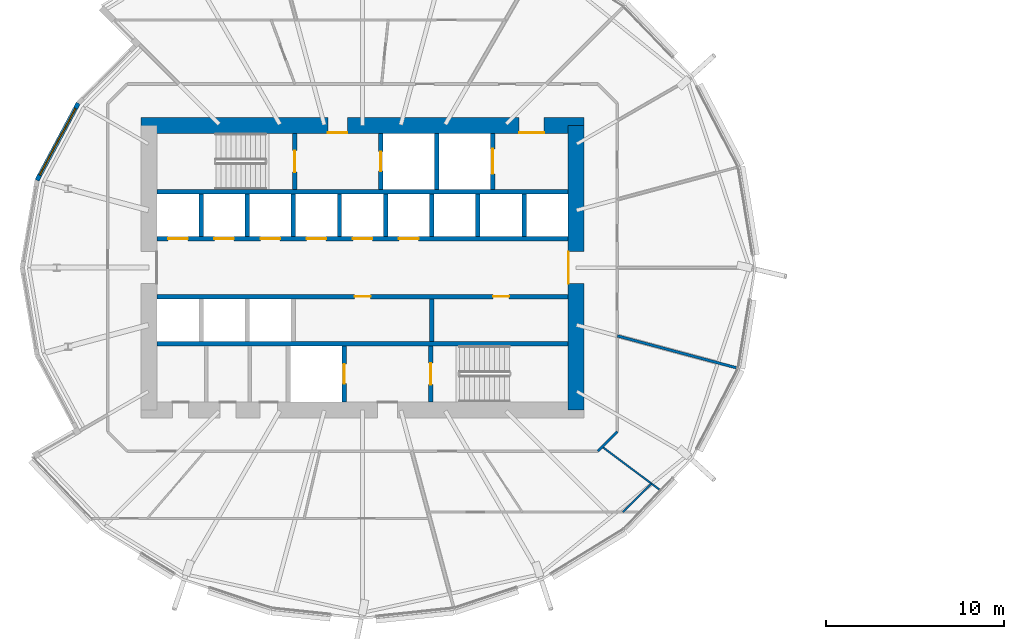
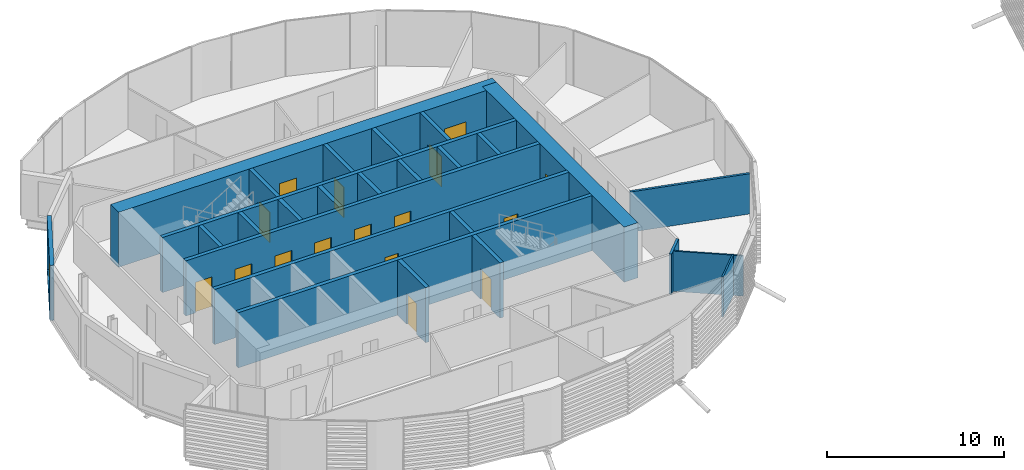
# One storey, part 20 of 36: 26 walls, 16 doors, 1 window, 17 openings.
"""IFC4 building model written with IfcOpenShell, lengths in metres."""

import ifcopenshell
import ifcopenshell.guid

model = None  # the IFC model being written
_history = None  # IfcOwnerHistory: only IFC2X3 demands one
_inside = {}  # id of a spatial element -> (the spatial element, [elements in it])
_under = {}  # id of a project, library or spatial element -> (it, [spatial elements below it])
_declared = {}  # id of a project -> (the project, [libraries it declares])
_typed = {}  # id of a type object -> (the type object, [elements of that type])
_made_of = {}  # id of a material, layer set ... -> (it, [elements and type objects made of it])


def new_model(schema):
    """Start an empty IFC model of exactly this schema.

    Asked for "IFC4X3", IfcOpenShell would pick the latest addendum, in which some entities
    have other attributes; the version numbers below select the first issue.
    IFC2X3 requires an IfcOwnerHistory on every rooted entity: one is made here for all.
    """
    global model, _history
    if schema == "IFC4X3":
        model = ifcopenshell.file(schema_version=(4, 3, 0, 0))
    else:
        model = ifcopenshell.file(schema=schema)
    _inside.clear()
    _under.clear()
    _declared.clear()
    _typed.clear()
    _made_of.clear()
    _history = None
    if model.schema == "IFC2X3":
        org = make("IfcOrganization", Name="unknown")
        user = make(
            "IfcPersonAndOrganization",
            ThePerson=make("IfcPerson", FamilyName="unknown"),
            TheOrganization=org,
        )
        app = make(
            "IfcApplication",
            ApplicationDeveloper=org,
            Version="unknown",
            ApplicationFullName="unknown",
            ApplicationIdentifier="unknown",
        )
        _history = make(
            "IfcOwnerHistory",
            OwningUser=user,
            OwningApplication=app,
            ChangeAction="ADDED",
            CreationDate=0,
        )
    return model


def make(cls, **values):
    """One entity of the class cls with the attributes given. An attribute that is None is left unset."""
    return model.create_entity(
        cls, **{name: value for name, value in values.items() if value is not None}
    )


def rooted(cls, **values):
    """An entity with a GlobalId (a new one), such as an element, a storey or a relation."""
    return make(cls, GlobalId=ifcopenshell.guid.new(), OwnerHistory=_history, **values)


def si_unit(unit_type, name, prefix=None):
    """IfcSIUnit, for example si_unit("LENGTHUNIT", "METRE", prefix="MILLI")."""
    return make("IfcSIUnit", UnitType=unit_type, Prefix=prefix, Name=name)


def assignment(units):
    """IfcUnitAssignment: the units of a project."""
    return None if units is None else make("IfcUnitAssignment", Units=units)


def point(xyz):
    """IfcCartesianPoint."""
    return None if xyz is None else make("IfcCartesianPoint", Coordinates=xyz)


def direction(xyz):
    """IfcDirection."""
    return None if xyz is None else make("IfcDirection", DirectionRatios=xyz)


def frame(location, z_axis=None, x_axis=None):
    """IfcAxis2Placement3D, a coordinate frame: its origin and axes. An axis left out is left unset."""
    return make(
        "IfcAxis2Placement3D",
        Location=point(location),
        Axis=direction(z_axis),
        RefDirection=direction(x_axis),
    )


def frame_2d(location, x_axis=None):
    """IfcAxis2Placement2D, a coordinate frame in the plane: its origin and x axis."""
    return make(
        "IfcAxis2Placement2D", Location=point(location), RefDirection=direction(x_axis)
    )


def origin():
    """The frame at (0, 0, 0) with its axes left unset."""
    return frame((0.0, 0.0, 0.0))


def place(relative_to, where):
    """IfcLocalPlacement: puts the frame where relative to a parent placement (None: the world)."""
    return make(
        "IfcLocalPlacement", PlacementRelTo=relative_to, RelativePlacement=where
    )


def context(
    kind, dimensions, precision=None, world=None, true_north=None, identifier=None
):
    """IfcGeometricRepresentationContext, for example the 3D "Model" context."""
    return make(
        "IfcGeometricRepresentationContext",
        ContextIdentifier=identifier,
        ContextType=kind,
        CoordinateSpaceDimension=dimensions,
        Precision=precision,
        WorldCoordinateSystem=world,
        TrueNorth=true_north,
    )


def subcontext(parent, identifier, kind, view, scale=None):
    """IfcGeometricRepresentationSubContext, for example "Body" below "Model"."""
    return make(
        "IfcGeometricRepresentationSubContext",
        ContextIdentifier=identifier,
        ContextType=kind,
        ParentContext=parent,
        TargetScale=scale,
        TargetView=view,
    )


def project(units=None, contexts=None):
    """IfcProject with its units and contexts."""
    return rooted(
        "IfcProject",
        Name="project",
        RepresentationContexts=contexts,
        UnitsInContext=assignment(units),
    )


def spatial(cls, under=None, at=None, **own):
    """A site, building, storey or space (cls), placed at a placement, below another one or the project."""
    s = rooted(cls, ObjectPlacement=at, **own)
    if under is not None:
        _under.setdefault(under.id(), (under, []))[1].append(s)
    return s


def profile(cls, at=None, kind="AREA", **sizes):
    """A parametric profile (cls). Its sizes go by their IFC names, for example OverallWidth=200.0."""
    return make(cls, ProfileType=kind, Position=at, **sizes)


def rectangle(**sizes):
    """IfcRectangleProfileDef."""
    return profile("IfcRectangleProfileDef", **sizes)


def extrude(swept, where, along, depth):
    """IfcExtrudedAreaSolid: the profile swept, set in the frame where, extruded along a direction by depth."""
    return make(
        "IfcExtrudedAreaSolid",
        SweptArea=swept,
        Position=where,
        ExtrudedDirection=direction(along),
        Depth=depth,
    )


def shape(context_of_items, identifier, shape_type, items):
    """IfcShapeRepresentation: the items that make up one representation, for example the "Body"."""
    return make(
        "IfcShapeRepresentation",
        ContextOfItems=context_of_items,
        RepresentationIdentifier=identifier,
        RepresentationType=shape_type,
        Items=items,
    )


def material(Name=None, Category=None):
    """IfcMaterial."""
    return make("IfcMaterial", Name=Name, Category=Category)


def layer(
    of_material, thickness, ventilated=None, Name=None, Category=None, Priority=None
):
    """IfcMaterialLayer: one layer of a wall or slab, of a material (None: an air gap)."""
    return make(
        "IfcMaterialLayer",
        Material=of_material,
        LayerThickness=thickness,
        IsVentilated=ventilated,
        Name=Name,
        Category=Category,
        Priority=Priority,
    )


def layer_set(layers, Name=None):
    """IfcMaterialLayerSet."""
    return make("IfcMaterialLayerSet", MaterialLayers=layers, LayerSetName=Name)


def made_of(thing, what):
    """Note that an element or type object is made of a material, layer set ...; save() writes the relation."""
    if what is not None:
        _made_of.setdefault(what.id(), (what, []))[1].append(thing)
    return thing


def type_object(cls, material=None, **own):
    """A type object (cls), such as IfcWallType, which elements share."""
    return made_of(rooted(cls, **own), material)


def element(
    cls,
    number,
    at=None,
    inside=None,
    cuts=None,
    type_object=None,
    material=None,
    context=None,
    identifier="Body",
    shape_type=None,
    held_by="IfcProductDefinitionShape",
    body=None,
    shapes=None,
    **own,
):
    """One element of the class cls, such as IfcWall. Its Tag is "e" and its number.

    at: its placement. inside: the storey or other place that contains it. cuts: it is an
    opening in that element (IfcRelVoidsElement). A single representation is given by context,
    identifier, shape_type and body (its items); several are given by shapes. held_by: the class
    of the entity that holds the representations. save() writes the other relations.
    """
    e = rooted(cls, Tag="e%d" % number, ObjectPlacement=at, **own)
    if body is not None:
        shapes = [shape(context, identifier, shape_type, body)]
    if shapes is not None:
        e.Representation = make(held_by, Representations=shapes)
    if inside is not None:
        _inside.setdefault(inside.id(), (inside, []))[1].append(e)
    if cuts is not None:
        rooted(
            "IfcRelVoidsElement", RelatingBuildingElement=cuts, RelatedOpeningElement=e
        )
    if type_object is not None:
        _typed.setdefault(type_object.id(), (type_object, []))[1].append(e)
    return made_of(e, material)


def fill(opening, filler):
    """IfcRelFillsElement: the door or window that sits in an opening."""
    return rooted(
        "IfcRelFillsElement",
        RelatingOpeningElement=opening,
        RelatedBuildingElement=filler,
    )


def aggregate(whole, parts):
    """IfcRelAggregates: a whole, such as a stair, and the parts it consists of."""
    return rooted("IfcRelAggregates", RelatingObject=whole, RelatedObjects=parts)


def save(model, path):
    """Write the relations noted so far, then the file.

    IfcRelAggregates (storeys below a building ...), IfcRelContainedInSpatialStructure (elements
    in a storey), IfcRelDefinesByType, IfcRelAssociatesMaterial and IfcRelDeclares: one each for
    every whole, place, type object, material and project.
    """
    for whole, parts in _under.values():
        aggregate(whole, parts)
    for where, things in _inside.values():
        rooted(
            "IfcRelContainedInSpatialStructure",
            RelatedElements=things,
            RelatingStructure=where,
        )
    for kind, things in _typed.values():
        rooted("IfcRelDefinesByType", RelatedObjects=things, RelatingType=kind)
    for what, things in _made_of.values():
        rooted("IfcRelAssociatesMaterial", RelatedObjects=things, RelatingMaterial=what)
    for by, libraries in _declared.values():
        rooted("IfcRelDeclares", RelatingContext=by, RelatedDefinitions=libraries)
    model.write(path)


model = new_model("IFC4")

# Units and contexts
model_context = context("Model", 3, precision=1e-05, world=origin(), true_north=direction((0.0, 1.0)))
body_context = subcontext(model_context, "Body", "Model", "MODEL_VIEW")
ifc_project = project(units=[si_unit("LENGTHUNIT", "METRE"), si_unit("AREAUNIT", "SQUARE_METRE"), si_unit("VOLUMEUNIT", "CUBIC_METRE"), si_unit("PLANEANGLEUNIT", "RADIAN"), si_unit("MASSUNIT", "GRAM", prefix="KILO")], contexts=[model_context])

# Site, building, storey
site_placement = place(None, origin())
site = spatial("IfcSite", under=ifc_project, at=site_placement, CompositionType="ELEMENT")
building_placement = place(site_placement, origin())
building = spatial("IfcBuilding", under=site, at=building_placement, Name="Rimbun Link Towers", CompositionType="ELEMENT")
storey_placement = place(building_placement, frame((0.0, 0.0, 33.800048828125)))
storey = spatial("IfcBuildingStorey", under=building, at=storey_placement, Name="L07", CompositionType="ELEMENT", Elevation=33.800048828125)

# Wall, opening, window
ifc_material_1 = material(Name="Dark enamelled glass spandrel on insulated aluminium backpan", Category="aluminium")
ifc_layer_1 = layer(ifc_material_1, 0.25)
ifc_layer_set_1 = layer_set([ifc_layer_1], Name="CS dark enamelled spandrel wall 250")
wall_type_1 = type_object("IfcWallType", Name="CS dark enamelled spandrel wall 250", PredefinedType="STANDARD", material=ifc_layer_set_1)
wall_1_placement = place(storey_placement, frame((-50.0556640625, 4.913818359375, 0.0), z_axis=(0.0, 0.0, 1.0), x_axis=(0.47156780377, 0.881829805828, 0.0)))
wall_1 = element("IfcWall", 1, at=wall_1_placement, inside=storey, type_object=wall_type_1, Name="Crease spandrel wall", PredefinedType="STANDARD", context=body_context, shape_type="SweptSolid", body=[
    extrude(rectangle(XDim=4.914306640625, YDim=0.25, at=frame_2d((2.45703125, 0.0))), origin(), (0.0, 0.0, 1.0), 3.800048828125),
])
opening_1_placement = place(wall_1_placement, frame((0.33203125, 0.0, 0.300048828125)))
opening_1 = element("IfcOpeningElement", 2, at=opening_1_placement, cuts=wall_1, Name="Opening WR42H295", PredefinedType="OPENING", context=body_context, shape_type="SweptSolid", body=[
    extrude(rectangle(XDim=4.25, YDim=2.949951171875, at=frame_2d((2.125, 1.47509765625))), frame((0.0, 0.135009765625, 0.0), z_axis=(0.0, -1.0, 0.0), x_axis=(1.0, 0.0, 0.0)), (0.0, 0.0, 1.0), 0.27001953125),
])
ifc_material_2 = material(Name="Aluminium framed fixed window, dark tinted low-e glass", Category="aluminium")
window_type = type_object("IfcWindowType", Name="WR ribbon window 4250X2950", PartitioningType="SINGLE_PANEL", PredefinedType="WINDOW", material=ifc_material_2)
window_placement = place(opening_1_placement, origin())
window = element("IfcWindow", 3, at=window_placement, inside=storey, type_object=window_type, Name="Crease ribbon window", OverallHeight=2.949951171875, OverallWidth=4.25, PartitioningType="SINGLE_PANEL", PredefinedType="WINDOW", context=body_context, shape_type="SweptSolid", body=[
    extrude(rectangle(XDim=4.25, YDim=2.949951171875, at=frame_2d((2.125, 1.47509765625))), frame((0.0, 0.030029296875, 0.0), z_axis=(0.0, -1.0, 0.0), x_axis=(1.0, 0.0, 0.0)), (0.0, 0.0, 1.0), 0.06005859375),
])
fill(opening_1, window)

# Wall, openings, doors
ifc_material_3 = material(Name="Concrete C60/75", Category="concrete")
ifc_layer_2 = layer(ifc_material_3, 0.89990234375)
ifc_layer_set_2 = layer_set([ifc_layer_2], Name="Core shear wall 900")
wall_type_2 = type_object("IfcWallType", Name="Core shear wall 900", PredefinedType="SHEAR", material=ifc_layer_set_2)
wall_2_placement = place(storey_placement, frame((-44.199951171875, 8.0, 0.0), z_axis=(0.0, 0.0, 1.0), x_axis=(1.0, 0.0, 0.0)))
wall_2 = element("IfcWall", 4, at=wall_2_placement, inside=storey, type_object=wall_type_2, Name="L07 T1 core wall N", PredefinedType="SHEAR", context=body_context, shape_type="SweptSolid", body=[
    extrude(rectangle(XDim=24.89990234375, YDim=0.89990234375, at=frame_2d((12.449951171875, 0.0))), origin(), (0.0, 0.0, 1.0), 3.800048828125),
])
opening_2_placement = place(wall_2_placement, frame((10.5, 0.0, 0.0)))
opening_2 = element("IfcOpeningElement", 5, at=opening_2_placement, cuts=wall_2, Name="Opening C1DCF01N", PredefinedType="OPENING", context=body_context, shape_type="SweptSolid", body=[
    extrude(rectangle(XDim=1.10009765625, YDim=2.10009765625, at=frame_2d((0.550048828125, 1.050048828125))), frame((0.0, 0.4599609375, 0.0), z_axis=(0.0, -1.0, 0.0), x_axis=(1.0, 0.0, 0.0)), (0.0, 0.0, 1.0), 0.919921875),
])
opening_3_placement = place(wall_2_placement, frame((21.25, 0.0, 0.0)))
opening_3 = element("IfcOpeningElement", 6, at=opening_3_placement, cuts=wall_2, Name="Opening C1DSL02N", PredefinedType="OPENING", context=body_context, shape_type="SweptSolid", body=[
    extrude(rectangle(XDim=1.39990234375, YDim=2.10009765625, at=frame_2d((0.699951171875, 1.050048828125))), frame((0.0, 0.4599609375, 0.0), z_axis=(0.0, -1.0, 0.0), x_axis=(1.0, 0.0, 0.0)), (0.0, 0.0, 1.0), 0.919921875),
])
ifc_material_4 = material(Name="Steel fire door set", Category="steel")
door_type_1 = type_object("IfcDoorType", Name="Core fire door single", OperationType="SINGLE_SWING_LEFT", PredefinedType="DOOR", material=ifc_material_4)
door_1_placement = place(opening_2_placement, origin())
door_1 = element("IfcDoor", 7, at=door_1_placement, inside=storey, type_object=door_type_1, Name="L07 T1 firefighting lobby n door", OperationType="SINGLE_SWING_LEFT", OverallHeight=2.10009765625, OverallWidth=1.10009765625, PredefinedType="DOOR", context=body_context, shape_type="SweptSolid", body=[
    extrude(rectangle(XDim=1.10009765625, YDim=2.10009765625, at=frame_2d((0.550048828125, 1.050048828125))), frame((0.0, -0.39990234375, 0.0), z_axis=(0.0, -1.0, 0.0), x_axis=(1.0, 0.0, 0.0)), (0.0, 0.0, 1.0), 0.050048828125),
])
fill(opening_2, door_1)
ifc_material_5 = material(Name="Steel fire door set", Category="steel")
door_type_2 = type_object("IfcDoorType", Name="Service lobby door double", OperationType="DOUBLE_DOOR_SINGLE_SWING", PredefinedType="DOOR", material=ifc_material_5)
door_2_placement = place(opening_3_placement, origin())
door_2 = element("IfcDoor", 8, at=door_2_placement, inside=storey, type_object=door_type_2, Name="L07 T1 service lobby door", OperationType="DOUBLE_DOOR_SINGLE_SWING", OverallHeight=2.10009765625, OverallWidth=1.39990234375, PredefinedType="DOOR", context=body_context, shape_type="SweptSolid", body=[
    extrude(rectangle(XDim=1.39990234375, YDim=2.10009765625, at=frame_2d((0.699951171875, 1.050048828125))), frame((0.0, -0.39990234375, 0.0), z_axis=(0.0, -1.0, 0.0), x_axis=(1.0, 0.0, 0.0)), (0.0, 0.0, 1.0), 0.050048828125),
])
fill(opening_3, door_2)

# Wall, opening, door
wall_3_placement = place(storey_placement, frame((-19.75, -8.0, 0.0), z_axis=(0.0, 0.0, 1.0), x_axis=(0.0, 1.0, 0.0)))
wall_3 = element("IfcWall", 9, at=wall_3_placement, inside=storey, type_object=wall_type_2, Name="L07 T1 core wall E", PredefinedType="SHEAR", context=body_context, shape_type="SweptSolid", body=[
    extrude(rectangle(XDim=16.0, YDim=0.89990234375, at=frame_2d((8.0, 0.0))), origin(), (0.0, 0.0, 1.0), 3.800048828125),
])
opening_4_placement = place(wall_3_placement, frame((7.10009765625, 0.0, 0.0)))
opening_4 = element("IfcOpeningElement", 10, at=opening_4_placement, cuts=wall_3, Name="Opening C1DCL01E", PredefinedType="OPENING", context=body_context, shape_type="SweptSolid", body=[
    extrude(rectangle(XDim=1.800048828125, YDim=2.10009765625, at=frame_2d((0.89990234375, 1.050048828125))), frame((0.0, 0.4599609375, 0.0), z_axis=(0.0, -1.0, 0.0), x_axis=(1.0, 0.0, 0.0)), (0.0, 0.0, 1.0), 0.919921875),
])
ifc_material_6 = material(Name="Steel fire door set", Category="steel")
door_type_3 = type_object("IfcDoorType", Name="Core lobby door double", OperationType="DOUBLE_DOOR_SINGLE_SWING", PredefinedType="DOOR", material=ifc_material_6)
door_3_placement = place(opening_4_placement, origin())
door_3 = element("IfcDoor", 11, at=door_3_placement, inside=storey, type_object=door_type_3, Name="L07 T1 lift lobby door", OperationType="DOUBLE_DOOR_SINGLE_SWING", OverallHeight=2.10009765625, OverallWidth=1.800048828125, PredefinedType="DOOR", context=body_context, shape_type="SweptSolid", body=[
    extrude(rectangle(XDim=1.800048828125, YDim=2.10009765625, at=frame_2d((0.89990234375, 1.050048828125))), frame((0.0, 0.4501953125, 0.0), z_axis=(0.0, -1.0, 0.0), x_axis=(1.0, 0.0, 0.0)), (0.0, 0.0, 1.0), 0.050048828125),
])
fill(opening_4, door_3)

# Walls
ifc_material_7 = material(Name="Plasterboard on steel stud, mineral wool", Category="steel")
ifc_layer_3 = layer(ifc_material_7, 0.14990234375)
ifc_layer_set_3 = layer_set([ifc_layer_3], Name="Corridor wall EI 30 150 mm")
wall_type_3 = type_object("IfcWallType", Name="Corridor wall EI 30 150 mm", PredefinedType="PARTITIONING", material=ifc_layer_set_3)
wall_4_placement = place(storey_placement, frame((-18.523193359375, -10.324951171875, 0.0), z_axis=(0.0, 0.0, 1.0), x_axis=(0.707106781187, 0.707106781187, 0.0)))
element("IfcWall", 12, at=wall_4_placement, inside=storey, type_object=wall_type_3, Name="Corridor wall EI 30 150 mm", PredefinedType="PARTITIONING", context=body_context, shape_type="SweptSolid", body=[
    extrude(rectangle(XDim=1.552978515625, YDim=0.14990234375, at=frame_2d((0.7763671875, 0.0))), origin(), (0.0, 0.0, 1.0), 2.779052734375),
])
ifc_material_8 = material(Name="Plasterboard on steel stud", Category="steel")
ifc_layer_4 = layer(ifc_material_8, 0.10009765625)
ifc_layer_set_4 = layer_set([ifc_layer_4], Name="Plasterboard partition 100 mm")
wall_type_4 = type_object("IfcWallType", Name="Plasterboard partition 100 mm", PredefinedType="PARTITIONING", material=ifc_layer_set_4)
wall_5_placement = place(storey_placement, frame((-15.01171875, -12.515380859375, 0.0), z_axis=(0.0, 0.0, 1.0), x_axis=(-0.800890859627, 0.598810346408, 0.0)))
element("IfcWall", 13, at=wall_5_placement, inside=storey, type_object=wall_type_4, Name="Plasterboard partition 100 mm", PredefinedType="PARTITIONING", context=body_context, shape_type="SweptSolid", body=[
    extrude(rectangle(XDim=4.07373046875, YDim=0.10009765625, at=frame_2d((2.036865234375, 0.0))), origin(), (0.0, 0.0, 1.0), 2.779052734375),
])
wall_6_placement = place(storey_placement, frame((-17.106689453125, -13.7451171875, 0.0), z_axis=(0.0, 0.0, 1.0), x_axis=(0.707052822105, 0.70716073615, 0.0)))
element("IfcWall", 14, at=wall_6_placement, inside=storey, type_object=wall_type_4, Name="Plasterboard partition 100 mm", PredefinedType="PARTITIONING", context=body_context, shape_type="SweptSolid", body=[
    extrude(rectangle(XDim=2.262451171875, YDim=0.10009765625, at=frame_2d((1.13134765625, 0.0))), origin(), (0.0, 0.0, 1.0), 2.779052734375),
])
ifc_material_9 = material(Name="Concrete C60/75", Category="concrete")
ifc_layer_5 = layer(ifc_material_9, 0.25)
ifc_layer_set_5 = layer_set([ifc_layer_5], Name="Shaft wall 250")
wall_type_5 = type_object("IfcWallType", Name="Shaft wall 250", PredefinedType="SHEAR", material=ifc_layer_set_5)
for number, where, z_axis, x_axis, name in (
    (15, (-43.300048828125, 4.27490234375, 0.0), (0.0, 0.0, 1.0), (1.0, 0.0, 0.0), "L07 T1 core wall BN"),
    (16, (-43.300048828125, -4.27490234375, 0.0), (0.0, 0.0, 1.0), (1.0, 0.0, 0.0), "L07 T1 core wall BS"),
):
    element("IfcWall", number, at=place(storey_placement, frame(where, z_axis=z_axis, x_axis=x_axis)), inside=storey, type_object=wall_type_5, Name=name, PredefinedType="SHEAR", context=body_context, shape_type="SweptSolid", body=[
        extrude(rectangle(XDim=23.10009765625, YDim=0.25, at=frame_2d((11.550048828125, 0.0))), origin(), (0.0, 0.0, 1.0), 3.800048828125),
    ])

# Wall, openings, doors
wall_7_placement = place(storey_placement, frame((-43.300048828125, 1.625, 0.0), z_axis=(0.0, 0.0, 1.0), x_axis=(1.0, 0.0, 0.0)))
wall_7 = element("IfcWall", 17, at=wall_7_placement, inside=storey, type_object=wall_type_5, Name="L07 T1 core wall FN", PredefinedType="SHEAR", context=body_context, shape_type="SweptSolid", body=[
    extrude(rectangle(XDim=23.10009765625, YDim=0.25, at=frame_2d((11.550048828125, 0.0))), origin(), (0.0, 0.0, 1.0), 3.800048828125),
])
opening_5_placement = place(wall_7_placement, frame((0.622314453125, 0.0, 0.0)))
opening_5 = element("IfcOpeningElement", 18, at=opening_5_placement, cuts=wall_7, Name="Opening LD-T1-LR1", PredefinedType="OPENING", context=body_context, shape_type="SweptSolid", body=[
    extrude(rectangle(XDim=1.10009765625, YDim=2.10009765625, at=frame_2d((0.550048828125, 1.050048828125))), frame((0.0, 0.135009765625, 0.0), z_axis=(0.0, -1.0, 0.0), x_axis=(1.0, 0.0, 0.0)), (0.0, 0.0, 1.0), 0.27001953125),
])
opening_6_placement = place(wall_7_placement, frame((3.216796875, 0.0, 0.0)))
opening_6 = element("IfcOpeningElement", 19, at=opening_6_placement, cuts=wall_7, Name="Opening LD-T1-LR2", PredefinedType="OPENING", context=body_context, shape_type="SweptSolid", body=[
    extrude(rectangle(XDim=1.10009765625, YDim=2.10009765625, at=frame_2d((0.550048828125, 1.050048828125))), frame((0.0, 0.135009765625, 0.0), z_axis=(0.0, -1.0, 0.0), x_axis=(1.0, 0.0, 0.0)), (0.0, 0.0, 1.0), 0.27001953125),
])
opening_7_placement = place(wall_7_placement, frame((5.81103515625, 0.0, 0.0)))
opening_7 = element("IfcOpeningElement", 20, at=opening_7_placement, cuts=wall_7, Name="Opening LD-T1-LR3", PredefinedType="OPENING", context=body_context, shape_type="SweptSolid", body=[
    extrude(rectangle(XDim=1.10009765625, YDim=2.10009765625, at=frame_2d((0.550048828125, 1.050048828125))), frame((0.0, 0.135009765625, 0.0), z_axis=(0.0, -1.0, 0.0), x_axis=(1.0, 0.0, 0.0)), (0.0, 0.0, 1.0), 0.27001953125),
])
opening_8_placement = place(wall_7_placement, frame((8.405517578125, 0.0, 0.0)))
opening_8 = element("IfcOpeningElement", 21, at=opening_8_placement, cuts=wall_7, Name="Opening LD-T1-LR4", PredefinedType="OPENING", context=body_context, shape_type="SweptSolid", body=[
    extrude(rectangle(XDim=1.10009765625, YDim=2.10009765625, at=frame_2d((0.550048828125, 1.050048828125))), frame((0.0, 0.135009765625, 0.0), z_axis=(0.0, -1.0, 0.0), x_axis=(1.0, 0.0, 0.0)), (0.0, 0.0, 1.0), 0.27001953125),
])
opening_9_placement = place(wall_7_placement, frame((11.0, 0.0, 0.0)))
opening_9 = element("IfcOpeningElement", 22, at=opening_9_placement, cuts=wall_7, Name="Opening LD-T1-LR5", PredefinedType="OPENING", context=body_context, shape_type="SweptSolid", body=[
    extrude(rectangle(XDim=1.10009765625, YDim=2.10009765625, at=frame_2d((0.550048828125, 1.050048828125))), frame((0.0, 0.135009765625, 0.0), z_axis=(0.0, -1.0, 0.0), x_axis=(1.0, 0.0, 0.0)), (0.0, 0.0, 1.0), 0.27001953125),
])
opening_10_placement = place(wall_7_placement, frame((13.594482421875, 0.0, 0.0)))
opening_10 = element("IfcOpeningElement", 23, at=opening_10_placement, cuts=wall_7, Name="Opening LD-T1-LR6", PredefinedType="OPENING", context=body_context, shape_type="SweptSolid", body=[
    extrude(rectangle(XDim=1.10009765625, YDim=2.10009765625, at=frame_2d((0.550048828125, 1.050048828125))), frame((0.0, 0.135009765625, 0.0), z_axis=(0.0, -1.0, 0.0), x_axis=(1.0, 0.0, 0.0)), (0.0, 0.0, 1.0), 0.27001953125),
])
ifc_material_10 = material(Name="Stainless steel grade 316", Category="steel")
door_type_4 = type_object("IfcDoorType", Name="Lift landing door", OperationType="DOUBLE_DOOR_SLIDING", PredefinedType="DOOR", material=ifc_material_10)
door_4_placement = place(opening_5_placement, origin())
door_4 = element("IfcDoor", 24, at=door_4_placement, inside=storey, type_object=door_type_4, Name="L07 T1 lift LR1 landing door", OperationType="DOUBLE_DOOR_SLIDING", OverallHeight=2.10009765625, OverallWidth=1.10009765625, PredefinedType="DOOR", context=body_context, shape_type="SweptSolid", body=[
    extrude(rectangle(XDim=1.10009765625, YDim=2.10009765625, at=frame_2d((0.550048828125, 1.050048828125))), frame((0.0, 0.02490234375, 0.0), z_axis=(0.0, -1.0, 0.0), x_axis=(1.0, 0.0, 0.0)), (0.0, 0.0, 1.0), 0.050048828125),
])
fill(opening_5, door_4)
door_5_placement = place(opening_6_placement, origin())
door_5 = element("IfcDoor", 25, at=door_5_placement, inside=storey, type_object=door_type_4, Name="L07 T1 lift LR2 landing door", OperationType="DOUBLE_DOOR_SLIDING", OverallHeight=2.10009765625, OverallWidth=1.10009765625, PredefinedType="DOOR", context=body_context, shape_type="SweptSolid", body=[
    extrude(rectangle(XDim=1.10009765625, YDim=2.10009765625, at=frame_2d((0.550048828125, 1.050048828125))), frame((0.0, 0.02490234375, 0.0), z_axis=(0.0, -1.0, 0.0), x_axis=(1.0, 0.0, 0.0)), (0.0, 0.0, 1.0), 0.050048828125),
])
fill(opening_6, door_5)
door_6_placement = place(opening_7_placement, origin())
door_6 = element("IfcDoor", 26, at=door_6_placement, inside=storey, type_object=door_type_4, Name="L07 T1 lift LR3 landing door", OperationType="DOUBLE_DOOR_SLIDING", OverallHeight=2.10009765625, OverallWidth=1.10009765625, PredefinedType="DOOR", context=body_context, shape_type="SweptSolid", body=[
    extrude(rectangle(XDim=1.10009765625, YDim=2.10009765625, at=frame_2d((0.550048828125, 1.050048828125))), frame((0.0, 0.02490234375, 0.0), z_axis=(0.0, -1.0, 0.0), x_axis=(1.0, 0.0, 0.0)), (0.0, 0.0, 1.0), 0.050048828125),
])
fill(opening_7, door_6)
door_7_placement = place(opening_8_placement, origin())
door_7 = element("IfcDoor", 27, at=door_7_placement, inside=storey, type_object=door_type_4, Name="L07 T1 lift LR4 landing door", OperationType="DOUBLE_DOOR_SLIDING", OverallHeight=2.10009765625, OverallWidth=1.10009765625, PredefinedType="DOOR", context=body_context, shape_type="SweptSolid", body=[
    extrude(rectangle(XDim=1.10009765625, YDim=2.10009765625, at=frame_2d((0.550048828125, 1.050048828125))), frame((0.0, 0.02490234375, 0.0), z_axis=(0.0, -1.0, 0.0), x_axis=(1.0, 0.0, 0.0)), (0.0, 0.0, 1.0), 0.050048828125),
])
fill(opening_8, door_7)
door_8_placement = place(opening_9_placement, origin())
door_8 = element("IfcDoor", 28, at=door_8_placement, inside=storey, type_object=door_type_4, Name="L07 T1 lift LR5 landing door", OperationType="DOUBLE_DOOR_SLIDING", OverallHeight=2.10009765625, OverallWidth=1.10009765625, PredefinedType="DOOR", context=body_context, shape_type="SweptSolid", body=[
    extrude(rectangle(XDim=1.10009765625, YDim=2.10009765625, at=frame_2d((0.550048828125, 1.050048828125))), frame((0.0, 0.02490234375, 0.0), z_axis=(0.0, -1.0, 0.0), x_axis=(1.0, 0.0, 0.0)), (0.0, 0.0, 1.0), 0.050048828125),
])
fill(opening_9, door_8)
door_9_placement = place(opening_10_placement, origin())
door_9 = element("IfcDoor", 29, at=door_9_placement, inside=storey, type_object=door_type_4, Name="L07 T1 lift LR6 landing door", OperationType="DOUBLE_DOOR_SLIDING", OverallHeight=2.10009765625, OverallWidth=1.10009765625, PredefinedType="DOOR", context=body_context, shape_type="SweptSolid", body=[
    extrude(rectangle(XDim=1.10009765625, YDim=2.10009765625, at=frame_2d((0.550048828125, 1.050048828125))), frame((0.0, 0.02490234375, 0.0), z_axis=(0.0, -1.0, 0.0), x_axis=(1.0, 0.0, 0.0)), (0.0, 0.0, 1.0), 0.050048828125),
])
fill(opening_10, door_9)

wall_8_placement = place(storey_placement, frame((-43.300048828125, -1.625, 0.0), z_axis=(0.0, 0.0, 1.0), x_axis=(1.0, 0.0, 0.0)))
wall_8 = element("IfcWall", 30, at=wall_8_placement, inside=storey, type_object=wall_type_5, Name="L07 T1 core wall FS", PredefinedType="SHEAR", context=body_context, shape_type="SweptSolid", body=[
    extrude(rectangle(XDim=23.10009765625, YDim=0.25, at=frame_2d((11.550048828125, 0.0))), origin(), (0.0, 0.0, 1.0), 3.800048828125),
])
opening_11_placement = place(wall_8_placement, frame((11.10009765625, 0.0, 0.0)))
opening_11 = element("IfcOpeningElement", 31, at=opening_11_placement, cuts=wall_8, Name="Opening C1DRS01FS", PredefinedType="OPENING", context=body_context, shape_type="SweptSolid", body=[
    extrude(rectangle(XDim=0.89990234375, YDim=2.10009765625, at=frame_2d((0.449951171875, 1.050048828125))), frame((0.0, 0.135009765625, 0.0), z_axis=(0.0, -1.0, 0.0), x_axis=(1.0, 0.0, 0.0)), (0.0, 0.0, 1.0), 0.27001953125),
])
opening_12_placement = place(wall_8_placement, frame((18.88330078125, 0.0, 0.0)))
opening_12 = element("IfcOpeningElement", 32, at=opening_12_placement, cuts=wall_8, Name="Opening C1DRS02FS", PredefinedType="OPENING", context=body_context, shape_type="SweptSolid", body=[
    extrude(rectangle(XDim=0.89990234375, YDim=2.10009765625, at=frame_2d((0.449951171875, 1.050048828125))), frame((0.0, 0.135009765625, 0.0), z_axis=(0.0, -1.0, 0.0), x_axis=(1.0, 0.0, 0.0)), (0.0, 0.0, 1.0), 0.27001953125),
])
ifc_material_11 = material(Name="Steel fire door set", Category="steel")
door_type_5 = type_object("IfcDoorType", Name="Core riser door", OperationType="SINGLE_SWING_LEFT", PredefinedType="DOOR", material=ifc_material_11)
door_10_placement = place(opening_11_placement, origin())
door_10 = element("IfcDoor", 33, at=door_10_placement, inside=storey, type_object=door_type_5, Name="L07 T1 plant room door", OperationType="SINGLE_SWING_LEFT", OverallHeight=2.10009765625, OverallWidth=0.89990234375, PredefinedType="DOOR", context=body_context, shape_type="SweptSolid", body=[
    extrude(rectangle(XDim=0.89990234375, YDim=2.10009765625, at=frame_2d((0.449951171875, 1.050048828125))), frame((0.0, 0.02490234375, 0.0), z_axis=(0.0, -1.0, 0.0), x_axis=(1.0, 0.0, 0.0)), (0.0, 0.0, 1.0), 0.050048828125),
])
fill(opening_11, door_10)
door_11_placement = place(opening_12_placement, origin())
door_11 = element("IfcDoor", 34, at=door_11_placement, inside=storey, type_object=door_type_5, Name="L07 T1 wellness room door", OperationType="SINGLE_SWING_LEFT", OverallHeight=2.10009765625, OverallWidth=0.89990234375, PredefinedType="DOOR", context=body_context, shape_type="SweptSolid", body=[
    extrude(rectangle(XDim=0.89990234375, YDim=2.10009765625, at=frame_2d((0.449951171875, 1.050048828125))), frame((0.0, 0.02490234375, 0.0), z_axis=(0.0, -1.0, 0.0), x_axis=(1.0, 0.0, 0.0)), (0.0, 0.0, 1.0), 0.050048828125),
])
fill(opening_12, door_11)

# Walls
for number, where, z_axis, x_axis, name in (
    (35, (-40.83056640625, 1.75, 0.0), (0.0, 0.0, 1.0), (0.0, 1.0, 0.0), "L07 T1 core wall DN0"),
    (36, (-38.236083984375, 1.75, 0.0), (0.0, 0.0, 1.0), (0.0, 1.0, 0.0), "L07 T1 core wall DN1"),
    (37, (-35.6416015625, 1.75, 0.0), (0.0, 0.0, 1.0), (0.0, 1.0, 0.0), "L07 T1 core wall DN2"),
    (38, (-33.047119140625, 1.75, 0.0), (0.0, 0.0, 1.0), (0.0, 1.0, 0.0), "L07 T1 core wall DN3"),
    (39, (-30.452880859375, 1.75, 0.0), (0.0, 0.0, 1.0), (0.0, 1.0, 0.0), "L07 T1 core wall DN4"),
    (40, (-27.8583984375, 1.75, 0.0), (0.0, 0.0, 1.0), (0.0, 1.0, 0.0), "L07 T1 core wall DN5"),
    (41, (-25.263916015625, 1.75, 0.0), (0.0, 0.0, 1.0), (0.0, 1.0, 0.0), "L07 T1 core wall DN6"),
    (42, (-22.66943359375, 1.75, 0.0), (0.0, 0.0, 1.0), (0.0, 1.0, 0.0), "L07 T1 core wall DN7"),
    (43, (-27.8583984375, -4.14990234375, 0.0), (0.0, 0.0, 1.0), (0.0, 1.0, 0.0), "L07 T1 core wall DS5"),
):
    element("IfcWall", number, at=place(storey_placement, frame(where, z_axis=z_axis, x_axis=x_axis)), inside=storey, type_object=wall_type_5, Name=name, PredefinedType="SHEAR", context=body_context, shape_type="SweptSolid", body=[
        extrude(rectangle(XDim=2.39990234375, YDim=0.25, at=frame_2d((1.199951171875, 0.0))), origin(), (0.0, 0.0, 1.0), 3.800048828125),
    ])

# Wall, opening, door
wall_9_placement = place(storey_placement, frame((-35.574951171875, 4.39990234375, 0.0), z_axis=(0.0, 0.0, 1.0), x_axis=(0.0, 1.0, 0.0)))
wall_9 = element("IfcWall", 44, at=wall_9_placement, inside=storey, type_object=wall_type_5, Name="L07 T1 core wall A1", PredefinedType="SHEAR", context=body_context, shape_type="SweptSolid", body=[
    extrude(rectangle(XDim=3.150146484375, YDim=0.25, at=frame_2d((1.5751953125, 0.0))), origin(), (0.0, 0.0, 1.0), 3.800048828125),
])
opening_13_placement = place(wall_9_placement, frame((0.97509765625, 0.0, 0.0)))
opening_13 = element("IfcOpeningElement", 45, at=opening_13_placement, cuts=wall_9, Name="Opening C1DST01A1", PredefinedType="OPENING", context=body_context, shape_type="SweptSolid", body=[
    extrude(rectangle(XDim=1.199951171875, YDim=2.10009765625, at=frame_2d((0.60009765625, 1.050048828125))), frame((0.0, 0.135009765625, 0.0), z_axis=(0.0, -1.0, 0.0), x_axis=(1.0, 0.0, 0.0)), (0.0, 0.0, 1.0), 0.27001953125),
])
ifc_material_12 = material(Name="Steel fire door set", Category="steel")
door_type_6 = type_object("IfcDoorType", Name="Stair door", OperationType="SINGLE_SWING_LEFT", PredefinedType="DOOR", material=ifc_material_12)
door_12_placement = place(opening_13_placement, origin())
door_12 = element("IfcDoor", 46, at=door_12_placement, inside=storey, type_object=door_type_6, Name="L07 T1 stair a door", OperationType="SINGLE_SWING_LEFT", OverallHeight=2.10009765625, OverallWidth=1.199951171875, PredefinedType="DOOR", context=body_context, shape_type="SweptSolid", body=[
    extrude(rectangle(XDim=1.199951171875, YDim=2.10009765625, at=frame_2d((0.60009765625, 1.050048828125))), frame((0.0, 0.02490234375, 0.0), z_axis=(0.0, -1.0, 0.0), x_axis=(1.0, 0.0, 0.0)), (0.0, 0.0, 1.0), 0.050048828125),
])
fill(opening_13, door_12)

wall_10_placement = place(storey_placement, frame((-30.72509765625, 4.39990234375, 0.0), z_axis=(0.0, 0.0, 1.0), x_axis=(0.0, 1.0, 0.0)))
wall_10 = element("IfcWall", 47, at=wall_10_placement, inside=storey, type_object=wall_type_5, Name="L07 T1 core wall A2", PredefinedType="SHEAR", context=body_context, shape_type="SweptSolid", body=[
    extrude(rectangle(XDim=3.150146484375, YDim=0.25, at=frame_2d((1.5751953125, 0.0))), origin(), (0.0, 0.0, 1.0), 3.800048828125),
])
opening_14_placement = place(wall_10_placement, frame((1.02490234375, 0.0, 0.0)))
opening_14 = element("IfcOpeningElement", 48, at=opening_14_placement, cuts=wall_10, Name="Opening LD-T1-FF1", PredefinedType="OPENING", context=body_context, shape_type="SweptSolid", body=[
    extrude(rectangle(XDim=1.10009765625, YDim=2.10009765625, at=frame_2d((0.550048828125, 1.050048828125))), frame((0.0, 0.135009765625, 0.0), z_axis=(0.0, -1.0, 0.0), x_axis=(1.0, 0.0, 0.0)), (0.0, 0.0, 1.0), 0.27001953125),
])
door_13_placement = place(opening_14_placement, origin())
door_13 = element("IfcDoor", 49, at=door_13_placement, inside=storey, type_object=door_type_4, Name="L07 T1 lift FF1 landing door", OperationType="DOUBLE_DOOR_SLIDING", OverallHeight=2.10009765625, OverallWidth=1.10009765625, PredefinedType="DOOR", context=body_context, shape_type="SweptSolid", body=[
    extrude(rectangle(XDim=1.10009765625, YDim=2.10009765625, at=frame_2d((0.550048828125, 1.050048828125))), frame((0.0, 0.02490234375, 0.0), z_axis=(0.0, -1.0, 0.0), x_axis=(1.0, 0.0, 0.0)), (0.0, 0.0, 1.0), 0.050048828125),
])
fill(opening_14, door_13)

# Wall
wall_11_placement = place(storey_placement, frame((-27.574951171875, 4.39990234375, 0.0), z_axis=(0.0, 0.0, 1.0), x_axis=(0.0, 1.0, 0.0)))
element("IfcWall", 50, at=wall_11_placement, inside=storey, type_object=wall_type_5, Name="L07 T1 core wall A3", PredefinedType="SHEAR", context=body_context, shape_type="SweptSolid", body=[
    extrude(rectangle(XDim=3.150146484375, YDim=0.25, at=frame_2d((1.5751953125, 0.0))), origin(), (0.0, 0.0, 1.0), 3.800048828125),
])

# Wall, opening, door
wall_12_placement = place(storey_placement, frame((-24.425048828125, 4.39990234375, 0.0), z_axis=(0.0, 0.0, 1.0), x_axis=(0.0, 1.0, 0.0)))
wall_12 = element("IfcWall", 51, at=wall_12_placement, inside=storey, type_object=wall_type_5, Name="L07 T1 core wall A4", PredefinedType="SHEAR", context=body_context, shape_type="SweptSolid", body=[
    extrude(rectangle(XDim=3.150146484375, YDim=0.25, at=frame_2d((1.5751953125, 0.0))), origin(), (0.0, 0.0, 1.0), 3.800048828125),
])
opening_15_placement = place(wall_12_placement, frame((0.875, 0.0, 0.0)))
opening_15 = element("IfcOpeningElement", 52, at=opening_15_placement, cuts=wall_12, Name="Opening LD-T1-GL1", PredefinedType="OPENING", context=body_context, shape_type="SweptSolid", body=[
    extrude(rectangle(XDim=1.39990234375, YDim=2.10009765625, at=frame_2d((0.699951171875, 1.050048828125))), frame((0.0, 0.135009765625, 0.0), z_axis=(0.0, -1.0, 0.0), x_axis=(1.0, 0.0, 0.0)), (0.0, 0.0, 1.0), 0.27001953125),
])
ifc_material_13 = material(Name="Stainless steel grade 316", Category="steel")
door_type_7 = type_object("IfcDoorType", Name="Goods lift landing door", OperationType="DOUBLE_DOOR_SLIDING", PredefinedType="DOOR", material=ifc_material_13)
door_14_placement = place(opening_15_placement, origin())
door_14 = element("IfcDoor", 53, at=door_14_placement, inside=storey, type_object=door_type_7, Name="L07 T1 lift GL1 landing door", OperationType="DOUBLE_DOOR_SLIDING", OverallHeight=2.10009765625, OverallWidth=1.39990234375, PredefinedType="DOOR", context=body_context, shape_type="SweptSolid", body=[
    extrude(rectangle(XDim=1.39990234375, YDim=2.10009765625, at=frame_2d((0.699951171875, 1.050048828125))), frame((0.0, 0.02490234375, 0.0), z_axis=(0.0, -1.0, 0.0), x_axis=(1.0, 0.0, 0.0)), (0.0, 0.0, 1.0), 0.050048828125),
])
fill(opening_15, door_14)

wall_13_placement = place(storey_placement, frame((-27.925048828125, -4.39990234375, 0.0), z_axis=(0.0, 0.0, 1.0), x_axis=(0.0, -1.0, 0.0)))
wall_13 = element("IfcWall", 54, at=wall_13_placement, inside=storey, type_object=wall_type_5, Name="L07 T1 core wall B1", PredefinedType="SHEAR", context=body_context, shape_type="SweptSolid", body=[
    extrude(rectangle(XDim=3.150146484375, YDim=0.25, at=frame_2d((1.5751953125, 0.0))), origin(), (0.0, 0.0, 1.0), 3.800048828125),
])
opening_16_placement = place(wall_13_placement, frame((0.97509765625, 0.0, 0.0)))
opening_16 = element("IfcOpeningElement", 55, at=opening_16_placement, cuts=wall_13, Name="Opening C1DST01B1", PredefinedType="OPENING", context=body_context, shape_type="SweptSolid", body=[
    extrude(rectangle(XDim=1.199951171875, YDim=2.10009765625, at=frame_2d((0.60009765625, 1.050048828125))), frame((0.0, 0.135009765625, 0.0), z_axis=(0.0, -1.0, 0.0), x_axis=(1.0, 0.0, 0.0)), (0.0, 0.0, 1.0), 0.27001953125),
])
door_15_placement = place(opening_16_placement, origin())
door_15 = element("IfcDoor", 56, at=door_15_placement, inside=storey, type_object=door_type_6, Name="L07 T1 stair b door", OperationType="SINGLE_SWING_RIGHT", OverallHeight=2.10009765625, OverallWidth=1.199951171875, PredefinedType="DOOR", context=body_context, shape_type="SweptSolid", body=[
    extrude(rectangle(XDim=1.199951171875, YDim=2.10009765625, at=frame_2d((0.60009765625, 1.050048828125))), frame((0.0, 0.02490234375, 0.0), z_axis=(0.0, -1.0, 0.0), x_axis=(1.0, 0.0, 0.0)), (0.0, 0.0, 1.0), 0.050048828125),
])
fill(opening_16, door_15)

wall_14_placement = place(storey_placement, frame((-32.77490234375, -4.39990234375, 0.0), z_axis=(0.0, 0.0, 1.0), x_axis=(0.0, -1.0, 0.0)))
wall_14 = element("IfcWall", 57, at=wall_14_placement, inside=storey, type_object=wall_type_5, Name="L07 T1 core wall B2", PredefinedType="SHEAR", context=body_context, shape_type="SweptSolid", body=[
    extrude(rectangle(XDim=3.150146484375, YDim=0.25, at=frame_2d((1.5751953125, 0.0))), origin(), (0.0, 0.0, 1.0), 3.800048828125),
])
opening_17_placement = place(wall_14_placement, frame((1.02490234375, 0.0, 0.0)))
opening_17 = element("IfcOpeningElement", 58, at=opening_17_placement, cuts=wall_14, Name="Opening LD-T1-FF2", PredefinedType="OPENING", context=body_context, shape_type="SweptSolid", body=[
    extrude(rectangle(XDim=1.10009765625, YDim=2.10009765625, at=frame_2d((0.550048828125, 1.050048828125))), frame((0.0, 0.135009765625, 0.0), z_axis=(0.0, -1.0, 0.0), x_axis=(1.0, 0.0, 0.0)), (0.0, 0.0, 1.0), 0.27001953125),
])
door_16_placement = place(opening_17_placement, origin())
door_16 = element("IfcDoor", 59, at=door_16_placement, inside=storey, type_object=door_type_4, Name="L07 T1 lift FF2 landing door", OperationType="DOUBLE_DOOR_SLIDING", OverallHeight=2.10009765625, OverallWidth=1.10009765625, PredefinedType="DOOR", context=body_context, shape_type="SweptSolid", body=[
    extrude(rectangle(XDim=1.10009765625, YDim=2.10009765625, at=frame_2d((0.550048828125, 1.050048828125))), frame((0.0, 0.02490234375, 0.0), z_axis=(0.0, -1.0, 0.0), x_axis=(1.0, 0.0, 0.0)), (0.0, 0.0, 1.0), 0.050048828125),
])
fill(opening_17, door_16)

# Wall
ifc_material_14 = material(Name="Plasterboard on steel stud, mineral wool", Category="steel")
ifc_layer_6 = layer(ifc_material_14, 0.14990234375)
ifc_layer_set_6 = layer_set([ifc_layer_6], Name="Tenancy separation wall EI 60 150 mm")
wall_type_6 = type_object("IfcWallType", Name="Tenancy separation wall EI 60 150 mm", PredefinedType="PARTITIONING", material=ifc_layer_set_6)
wall_15_placement = place(storey_placement, frame((-17.425048828125, -3.83837890625, 0.0), z_axis=(0.0, 0.0, 1.0), x_axis=(0.965925001487, -0.258822123285, 0.0)))
element("IfcWall", 60, at=wall_15_placement, inside=storey, type_object=wall_type_6, Name="Tenancy separation wall EI 60 150 mm", PredefinedType="PARTITIONING", context=body_context, shape_type="SweptSolid", body=[
    extrude(rectangle(XDim=6.997314453125, YDim=0.14990234375, at=frame_2d((3.49853515625, 0.0))), origin(), (0.0, 0.0, 1.0), 2.779052734375),
])

save(model, "model.ifc")
